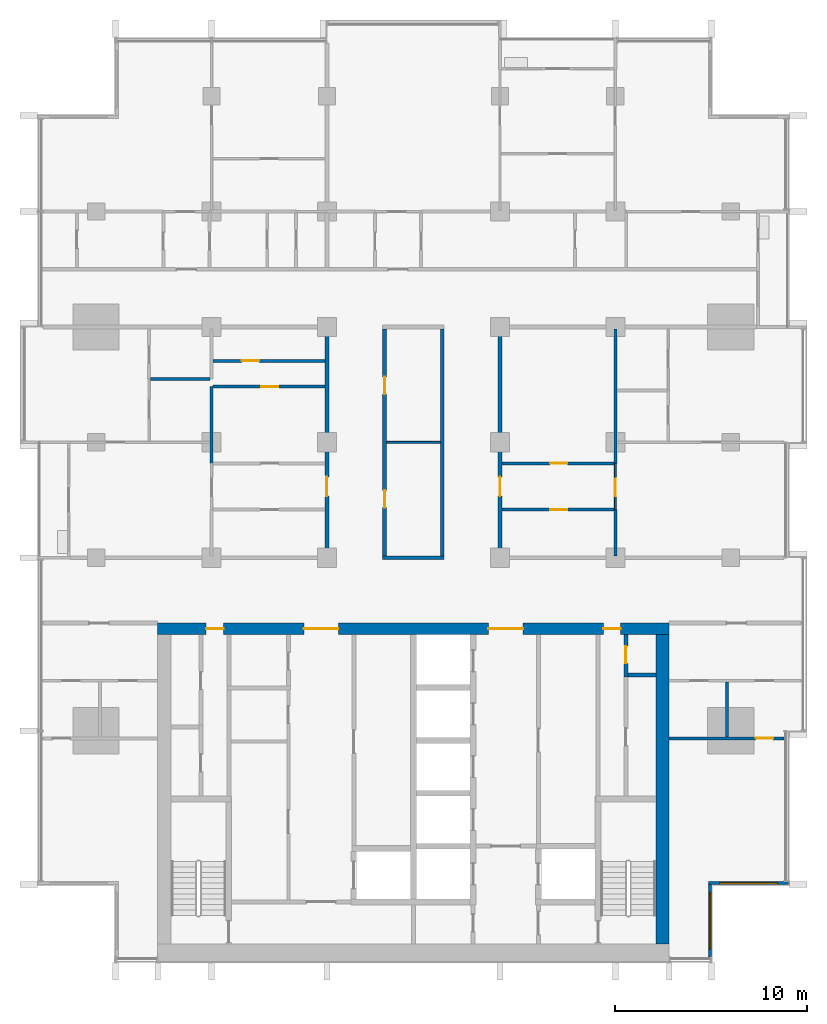
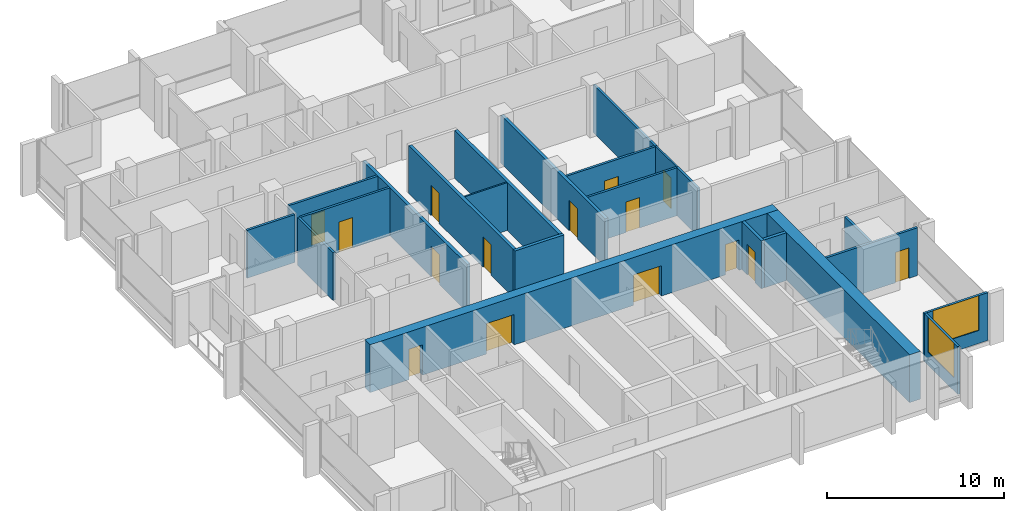
# One storey, part 9 of 17: 23 walls, 15 doors, 2 windows, 17 openings.
"""IFC4 building model written with IfcOpenShell, lengths in metres."""

from ifc_helpers import new_model, si_unit, direction, frame, frame_2d, origin, place, context, subcontext, project, spatial, rectangle, extrude, material, layer, layer_set, type_object, element, fill, save


model = new_model("IFC4")

# Units and contexts
model_context = context("Model", 3, precision=1e-05, world=origin(), true_north=direction((0.0, 1.0)))
body_context = subcontext(model_context, "Body", "Model", "MODEL_VIEW")
ifc_project = project(units=[si_unit("LENGTHUNIT", "METRE"), si_unit("AREAUNIT", "SQUARE_METRE"), si_unit("VOLUMEUNIT", "CUBIC_METRE"), si_unit("PLANEANGLEUNIT", "RADIAN"), si_unit("MASSUNIT", "GRAM", prefix="KILO")], contexts=[model_context])

# Site, building, storey
site_placement = place(None, origin())
site = spatial("IfcSite", under=ifc_project, at=site_placement, CompositionType="ELEMENT")
building_placement = place(site_placement, origin())
building = spatial("IfcBuilding", under=site, at=building_placement, Name="Finial Court Residences", CompositionType="ELEMENT")
storey_placement = place(building_placement, frame((0.0, 0.0, 192.5)))
storey = spatial("IfcBuildingStorey", under=building, at=storey_placement, Name="L48", CompositionType="ELEMENT", Elevation=192.5)

# Wall, openings, doors
ifc_material_1 = material(Name="Concrete C70/85", Category="concrete")
ifc_layer_1 = layer(ifc_material_1, 0.60009765625)
ifc_layer_set_1 = layer_set([ifc_layer_1], Name="Core outer wall 600 Concrete C70/85")
wall_type_1 = type_object("IfcWallType", Name="Core outer wall 600 Concrete C70/85", PredefinedType="SHEAR", material=ifc_layer_set_1)
wall_1_placement = place(storey_placement, frame((-13.300048828125, -8.199951171875, 0.0), z_axis=(0.0, 0.0, 1.0), x_axis=(1.0, 0.0, 0.0)))
wall_1 = element("IfcWall", 1, at=wall_1_placement, inside=storey, type_object=wall_type_1, Name="Core outer wall L48-02", PredefinedType="SHEAR", context=body_context, shape_type="SweptSolid", body=[
    extrude(rectangle(XDim=26.60009765625, YDim=0.60009765625, at=frame_2d((13.300048828125, 0.0))), origin(), (0.0, 0.0, 1.0), 3.300048828125),
])
opening_1_placement = place(wall_1_placement, frame((7.60009765625, 0.0, 0.0)))
opening_1 = element("IfcOpeningElement", 2, at=opening_1_placement, cuts=wall_1, Name="Opening L48-C04", PredefinedType="OPENING", context=body_context, shape_type="SweptSolid", body=[
    extrude(rectangle(XDim=1.800048828125, YDim=2.10009765625, at=frame_2d((0.89990234375, 1.050048828125))), frame((0.0, 0.31005859375, 0.0), z_axis=(0.0, -1.0, 0.0), x_axis=(1.0, 0.0, 0.0)), (0.0, 0.0, 1.0), 0.6201171875),
])
opening_2_placement = place(wall_1_placement, frame((17.199951171875, 0.0, 0.0)))
opening_2 = element("IfcOpeningElement", 3, at=opening_2_placement, cuts=wall_1, Name="Opening L48-C05", PredefinedType="OPENING", context=body_context, shape_type="SweptSolid", body=[
    extrude(rectangle(XDim=1.800048828125, YDim=2.10009765625, at=frame_2d((0.89990234375, 1.050048828125))), frame((0.0, 0.31005859375, 0.0), z_axis=(0.0, -1.0, 0.0), x_axis=(1.0, 0.0, 0.0)), (0.0, 0.0, 1.0), 0.6201171875),
])
opening_3_placement = place(wall_1_placement, frame((2.52490234375, 0.0, 0.0)))
opening_3 = element("IfcOpeningElement", 4, at=opening_3_placement, cuts=wall_1, Name="Opening L48-C12", PredefinedType="OPENING", context=body_context, shape_type="SweptSolid", body=[
    extrude(rectangle(XDim=0.89990234375, YDim=2.10009765625, at=frame_2d((0.449951171875, 1.050048828125))), frame((0.0, 0.31005859375, 0.0), z_axis=(0.0, -1.0, 0.0), x_axis=(1.0, 0.0, 0.0)), (0.0, 0.0, 1.0), 0.6201171875),
])
opening_4_placement = place(wall_1_placement, frame((23.175048828125, 0.0, 0.0)))
opening_4 = element("IfcOpeningElement", 5, at=opening_4_placement, cuts=wall_1, Name="Opening L48-C13", PredefinedType="OPENING", context=body_context, shape_type="SweptSolid", body=[
    extrude(rectangle(XDim=0.89990234375, YDim=2.10009765625, at=frame_2d((0.449951171875, 1.050048828125))), frame((0.0, 0.31005859375, 0.0), z_axis=(0.0, -1.0, 0.0), x_axis=(1.0, 0.0, 0.0)), (0.0, 0.0, 1.0), 0.6201171875),
])
ifc_material_2 = material(Name="Steel fire door", Category="steel")
door_type_1 = type_object("IfcDoorType", Name="Lift lobby door 1800 x 2100 EI 60", OperationType="DOUBLE_DOOR_SINGLE_SWING", PredefinedType="DOOR", material=ifc_material_2)
door_1_placement = place(opening_1_placement, origin())
door_1 = element("IfcDoor", 6, at=door_1_placement, inside=storey, type_object=door_type_1, Name="Lift lobby door L48-C04", OperationType="DOUBLE_DOOR_SINGLE_SWING", OverallHeight=2.10009765625, OverallWidth=1.800048828125, PredefinedType="DOOR", context=body_context, shape_type="SweptSolid", body=[
    extrude(rectangle(XDim=1.800048828125, YDim=2.10009765625, at=frame_2d((0.89990234375, 1.050048828125))), frame((0.0, 0.02490234375, 0.0), z_axis=(0.0, -1.0, 0.0), x_axis=(1.0, 0.0, 0.0)), (0.0, 0.0, 1.0), 0.050048828125),
])
fill(opening_1, door_1)
door_2_placement = place(opening_2_placement, origin())
door_2 = element("IfcDoor", 7, at=door_2_placement, inside=storey, type_object=door_type_1, Name="Lift lobby door L48-C05", OperationType="DOUBLE_DOOR_SINGLE_SWING", OverallHeight=2.10009765625, OverallWidth=1.800048828125, PredefinedType="DOOR", context=body_context, shape_type="SweptSolid", body=[
    extrude(rectangle(XDim=1.800048828125, YDim=2.10009765625, at=frame_2d((0.89990234375, 1.050048828125))), frame((0.0, 0.02490234375, 0.0), z_axis=(0.0, -1.0, 0.0), x_axis=(1.0, 0.0, 0.0)), (0.0, 0.0, 1.0), 0.050048828125),
])
fill(opening_2, door_2)
door_type_2 = type_object("IfcDoorType", Name="Riser room door 900 x 2100 EI 90", OperationType="NOTDEFINED", PredefinedType="DOOR", material=ifc_material_2)
door_3_placement = place(opening_3_placement, origin())
door_3 = element("IfcDoor", 8, at=door_3_placement, inside=storey, type_object=door_type_2, Name="Riser room door L48-C12", OperationType="SINGLE_SWING_RIGHT", OverallHeight=2.10009765625, OverallWidth=0.89990234375, PredefinedType="DOOR", context=body_context, shape_type="SweptSolid", body=[
    extrude(rectangle(XDim=0.89990234375, YDim=2.10009765625, at=frame_2d((0.449951171875, 1.050048828125))), frame((0.0, 0.02490234375, 0.0), z_axis=(0.0, -1.0, 0.0), x_axis=(1.0, 0.0, 0.0)), (0.0, 0.0, 1.0), 0.050048828125),
])
fill(opening_3, door_3)
door_4_placement = place(opening_4_placement, origin())
door_4 = element("IfcDoor", 9, at=door_4_placement, inside=storey, type_object=door_type_2, Name="Riser room door L48-C13", OperationType="SINGLE_SWING_LEFT", OverallHeight=2.10009765625, OverallWidth=0.89990234375, PredefinedType="DOOR", context=body_context, shape_type="SweptSolid", body=[
    extrude(rectangle(XDim=0.89990234375, YDim=2.10009765625, at=frame_2d((0.449951171875, 1.050048828125))), frame((0.0, 0.02490234375, 0.0), z_axis=(0.0, -1.0, 0.0), x_axis=(1.0, 0.0, 0.0)), (0.0, 0.0, 1.0), 0.050048828125),
])
fill(opening_4, door_4)

# Walls
ifc_layer_2 = layer(ifc_material_1, 0.699951171875)
ifc_layer_set_2 = layer_set([ifc_layer_2], Name="Core outer wall 700 Concrete C70/85")
wall_type_2 = type_object("IfcWallType", Name="Core outer wall 700 Concrete C70/85", PredefinedType="SHEAR", material=ifc_layer_set_2)
wall_2_placement = place(storey_placement, frame((12.949951171875, -24.60009765625, 0.0), z_axis=(0.0, 0.0, 1.0), x_axis=(0.0, 1.0, 0.0)))
element("IfcWall", 10, at=wall_2_placement, inside=storey, type_object=wall_type_2, Name="Core outer wall L48-04", PredefinedType="SHEAR", context=body_context, shape_type="SweptSolid", body=[
    extrude(rectangle(XDim=16.10009765625, YDim=0.699951171875, at=frame_2d((8.050048828125, 0.0))), origin(), (0.0, 0.0, 1.0), 3.300048828125),
])
ifc_material_3 = material(Name="Gypsum board")
ifc_layer_3 = layer(ifc_material_3, 0.02490234375)
ifc_material_4 = material(Name="Acoustic mineral wool in double frame")
ifc_layer_4 = layer(ifc_material_4, 0.14990234375)
ifc_layer_5 = layer(ifc_material_3, 0.02490234375)
ifc_layer_set_3 = layer_set([ifc_layer_3, ifc_layer_4, ifc_layer_5], Name="Corridor wall 200, 1 hour")
wall_type_3 = type_object("IfcWallType", Name="Corridor wall 200, 1 hour", PredefinedType="PARTITIONING", material=ifc_layer_set_3)
wall_3_placement = place(storey_placement, frame((-1.60009765625, -4.5, 0.0), z_axis=(0.0, 0.0, 1.0), x_axis=(1.0, 0.0, 0.0)))
element("IfcWall", 11, at=wall_3_placement, inside=storey, type_object=wall_type_3, Name="Partition L48-007", PredefinedType="PARTITIONING", context=body_context, shape_type="SweptSolid", body=[
    extrude(rectangle(XDim=3.2001953125, YDim=0.199951171875, at=frame_2d((1.60009765625, 0.0))), origin(), (0.0, 0.0, 1.0), 3.300048828125),
])

# Wall, opening, door
wall_4_placement = place(storey_placement, frame((-4.5, -4.39990234375, 0.0), z_axis=(0.0, 0.0, 1.0), x_axis=(0.0, 1.0, 0.0)))
wall_4 = element("IfcWall", 12, at=wall_4_placement, inside=storey, type_object=wall_type_3, Name="Partition L48-048", PredefinedType="PARTITIONING", context=body_context, shape_type="SweptSolid", body=[
    extrude(rectangle(XDim=11.7998046875, YDim=0.199951171875, at=frame_2d((5.89990234375, 0.0))), origin(), (0.0, 0.0, 1.0), 3.300048828125),
])
opening_5_placement = place(wall_4_placement, frame((3.10009765625, 0.0, 0.0)))
opening_5 = element("IfcOpeningElement", 13, at=opening_5_placement, cuts=wall_4, Name="Opening L48-D033", PredefinedType="OPENING", context=body_context, shape_type="SweptSolid", body=[
    extrude(rectangle(XDim=1.0, YDim=2.10009765625, at=frame_2d((0.5, 1.050048828125))), frame((0.0, 0.10986328125, 0.0), z_axis=(0.0, -1.0, 0.0), x_axis=(1.0, 0.0, 0.0)), (0.0, 0.0, 1.0), 0.219970703125),
])
ifc_material_5 = material(Name="Timber door leaf in hollow metal frame", Category="wood")
door_type_3 = type_object("IfcDoorType", Name="Fire door set 1000 x 2100, 30 minutes", OperationType="SINGLE_SWING_LEFT", PredefinedType="DOOR", material=ifc_material_5)
door_5_placement = place(opening_5_placement, origin())
door_5 = element("IfcDoor", 14, at=door_5_placement, inside=storey, type_object=door_type_3, Name="Door L48-D033", OperationType="SINGLE_SWING_RIGHT", OverallHeight=2.10009765625, OverallWidth=1.0, PredefinedType="DOOR", context=body_context, shape_type="SweptSolid", body=[
    extrude(rectangle(XDim=1.0, YDim=2.10009765625, at=frame_2d((0.5, 1.050048828125))), frame((0.0, 0.02490234375, 0.0), z_axis=(0.0, -1.0, 0.0), x_axis=(1.0, 0.0, 0.0)), (0.0, 0.0, 1.0), 0.050048828125),
])
fill(opening_5, door_5)

# Wall, openings, doors
wall_5_placement = place(storey_placement, frame((-1.5, -4.39990234375, 0.0), z_axis=(0.0, 0.0, 1.0), x_axis=(0.0, 1.0, 0.0)))
wall_5 = element("IfcWall", 15, at=wall_5_placement, inside=storey, type_object=wall_type_3, Name="Partition L48-052", PredefinedType="PARTITIONING", context=body_context, shape_type="SweptSolid", body=[
    extrude(rectangle(XDim=11.7998046875, YDim=0.199951171875, at=frame_2d((5.89990234375, 0.0))), origin(), (0.0, 0.0, 1.0), 3.300048828125),
])
opening_6_placement = place(wall_5_placement, frame((2.5, 0.0, 0.0)))
opening_6 = element("IfcOpeningElement", 16, at=opening_6_placement, cuts=wall_5, Name="Opening L48-D035", PredefinedType="OPENING", context=body_context, shape_type="SweptSolid", body=[
    extrude(rectangle(XDim=0.89990234375, YDim=2.10009765625, at=frame_2d((0.449951171875, 1.050048828125))), frame((0.0, 0.10986328125, 0.0), z_axis=(0.0, -1.0, 0.0), x_axis=(1.0, 0.0, 0.0)), (0.0, 0.0, 1.0), 0.219970703125),
])
opening_7_placement = place(wall_5_placement, frame((8.39990234375, 0.0, 0.0)))
opening_7 = element("IfcOpeningElement", 17, at=opening_7_placement, cuts=wall_5, Name="Opening L48-D036", PredefinedType="OPENING", context=body_context, shape_type="SweptSolid", body=[
    extrude(rectangle(XDim=0.89990234375, YDim=2.10009765625, at=frame_2d((0.449951171875, 1.050048828125))), frame((0.0, 0.10986328125, 0.0), z_axis=(0.0, -1.0, 0.0), x_axis=(1.0, 0.0, 0.0)), (0.0, 0.0, 1.0), 0.219970703125),
])
door_type_4 = type_object("IfcDoorType", Name="Fire door set 900 x 2100, 30 minutes", OperationType="SINGLE_SWING_LEFT", PredefinedType="DOOR", material=ifc_material_5)
door_6_placement = place(opening_6_placement, origin())
door_6 = element("IfcDoor", 18, at=door_6_placement, inside=storey, type_object=door_type_4, Name="Door L48-D035", OperationType="SINGLE_SWING_LEFT", OverallHeight=2.10009765625, OverallWidth=0.89990234375, PredefinedType="DOOR", context=body_context, shape_type="SweptSolid", body=[
    extrude(rectangle(XDim=0.89990234375, YDim=2.10009765625, at=frame_2d((0.449951171875, 1.050048828125))), frame((0.0, 0.02490234375, 0.0), z_axis=(0.0, -1.0, 0.0), x_axis=(1.0, 0.0, 0.0)), (0.0, 0.0, 1.0), 0.050048828125),
])
fill(opening_6, door_6)
door_7_placement = place(opening_7_placement, origin())
door_7 = element("IfcDoor", 19, at=door_7_placement, inside=storey, type_object=door_type_4, Name="Door L48-D036", OperationType="SINGLE_SWING_RIGHT", OverallHeight=2.10009765625, OverallWidth=0.89990234375, PredefinedType="DOOR", context=body_context, shape_type="SweptSolid", body=[
    extrude(rectangle(XDim=0.89990234375, YDim=2.10009765625, at=frame_2d((0.449951171875, 1.050048828125))), frame((0.0, 0.02490234375, 0.0), z_axis=(0.0, -1.0, 0.0), x_axis=(1.0, 0.0, 0.0)), (0.0, 0.0, 1.0), 0.050048828125),
])
fill(opening_7, door_7)

# Wall
wall_6_placement = place(storey_placement, frame((1.5, -4.39990234375, 0.0), z_axis=(0.0, 0.0, 1.0), x_axis=(0.0, 1.0, 0.0)))
element("IfcWall", 20, at=wall_6_placement, inside=storey, type_object=wall_type_3, Name="Partition L48-054", PredefinedType="PARTITIONING", context=body_context, shape_type="SweptSolid", body=[
    extrude(rectangle(XDim=11.7998046875, YDim=0.199951171875, at=frame_2d((5.89990234375, 0.0))), origin(), (0.0, 0.0, 1.0), 3.300048828125),
])

# Wall, opening, door
wall_7_placement = place(storey_placement, frame((4.5, -4.39990234375, 0.0), z_axis=(0.0, 0.0, 1.0), x_axis=(0.0, 1.0, 0.0)))
wall_7 = element("IfcWall", 21, at=wall_7_placement, inside=storey, type_object=wall_type_3, Name="Partition L48-055", PredefinedType="PARTITIONING", context=body_context, shape_type="SweptSolid", body=[
    extrude(rectangle(XDim=11.7998046875, YDim=0.199951171875, at=frame_2d((5.89990234375, 0.0))), origin(), (0.0, 0.0, 1.0), 3.300048828125),
])
opening_8_placement = place(wall_7_placement, frame((3.10009765625, 0.0, 0.0)))
opening_8 = element("IfcOpeningElement", 22, at=opening_8_placement, cuts=wall_7, Name="Opening L48-D038", PredefinedType="OPENING", context=body_context, shape_type="SweptSolid", body=[
    extrude(rectangle(XDim=1.0, YDim=2.10009765625, at=frame_2d((0.5, 1.050048828125))), frame((0.0, 0.10986328125, 0.0), z_axis=(0.0, -1.0, 0.0), x_axis=(1.0, 0.0, 0.0)), (0.0, 0.0, 1.0), 0.219970703125),
])
door_8_placement = place(opening_8_placement, origin())
door_8 = element("IfcDoor", 23, at=door_8_placement, inside=storey, type_object=door_type_3, Name="Door L48-D038", OperationType="SINGLE_SWING_LEFT", OverallHeight=2.10009765625, OverallWidth=1.0, PredefinedType="DOOR", context=body_context, shape_type="SweptSolid", body=[
    extrude(rectangle(XDim=1.0, YDim=2.10009765625, at=frame_2d((0.5, 1.050048828125))), frame((0.0, 0.02490234375, 0.0), z_axis=(0.0, -1.0, 0.0), x_axis=(1.0, 0.0, 0.0)), (0.0, 0.0, 1.0), 0.050048828125),
])
fill(opening_8, door_8)

# Wall
ifc_layer_6 = layer(ifc_material_3, 0.012451171875)
ifc_material_6 = material(Name="Mineral wool in light-gauge frame")
ifc_layer_7 = layer(ifc_material_6, 0.074951171875)
ifc_layer_8 = layer(ifc_material_3, 0.012451171875)
ifc_layer_set_4 = layer_set([ifc_layer_6, ifc_layer_7, ifc_layer_8], Name="Gypsum board partition 100")
wall_type_4 = type_object("IfcWallType", Name="Gypsum board partition 100", PredefinedType="PARTITIONING", material=ifc_layer_set_4)
wall_8_placement = place(storey_placement, frame((-1.39990234375, 1.5, 0.0), z_axis=(0.0, 0.0, 1.0), x_axis=(1.0, 0.0, 0.0)))
element("IfcWall", 24, at=wall_8_placement, inside=storey, type_object=wall_type_4, Name="Partition L48-014", PredefinedType="PARTITIONING", context=body_context, shape_type="SweptSolid", body=[
    extrude(rectangle(XDim=2.7998046875, YDim=0.10009765625, at=frame_2d((1.39990234375, 0.0))), origin(), (0.0, 0.0, 1.0), 3.300048828125),
])

# Wall, opening, door
wall_9_placement = place(storey_placement, frame((10.5, -2.0, 0.0), z_axis=(0.0, 0.0, 1.0), x_axis=(0.0, 1.0, 0.0)))
wall_9 = element("IfcWall", 25, at=wall_9_placement, inside=storey, type_object=wall_type_4, Name="Partition L48-058", PredefinedType="PARTITIONING", context=body_context, shape_type="SweptSolid", body=[
    extrude(rectangle(XDim=2.39990234375, YDim=0.10009765625, at=frame_2d((1.199951171875, 0.0))), origin(), (0.0, 0.0, 1.0), 3.300048828125),
])
opening_9_placement = place(wall_9_placement, frame((0.699951171875, 0.0, 0.0)))
opening_9 = element("IfcOpeningElement", 26, at=opening_9_placement, cuts=wall_9, Name="Opening L48-D041", PredefinedType="OPENING", context=body_context, shape_type="SweptSolid", body=[
    extrude(rectangle(XDim=0.89990234375, YDim=2.10009765625, at=frame_2d((0.449951171875, 1.050048828125))), frame((0.0, 0.06005859375, 0.0), z_axis=(0.0, -1.0, 0.0), x_axis=(1.0, 0.0, 0.0)), (0.0, 0.0, 1.0), 0.1201171875),
])
ifc_material_7 = material(Name="Timber door leaf in timber frame", Category="wood")
door_type_5 = type_object("IfcDoorType", Name="Door set 900 x 2100", OperationType="SINGLE_SWING_LEFT", PredefinedType="DOOR", material=ifc_material_7)
door_9_placement = place(opening_9_placement, origin())
door_9 = element("IfcDoor", 27, at=door_9_placement, inside=storey, type_object=door_type_5, Name="Door L48-D041", OperationType="SINGLE_SWING_LEFT", OverallHeight=2.10009765625, OverallWidth=0.89990234375, PredefinedType="DOOR", context=body_context, shape_type="SweptSolid", body=[
    extrude(rectangle(XDim=0.89990234375, YDim=2.10009765625, at=frame_2d((0.449951171875, 1.050048828125))), frame((0.0, 0.02490234375, 0.0), z_axis=(0.0, -1.0, 0.0), x_axis=(1.0, 0.0, 0.0)), (0.0, 0.0, 1.0), 0.050048828125),
])
fill(opening_9, door_9)

ifc_material_8 = material(Name="Moisture-resistant gypsum board")
ifc_layer_9 = layer(ifc_material_8, 0.012451171875)
ifc_layer_10 = layer(ifc_material_6, 0.125)
ifc_layer_11 = layer(ifc_material_8, 0.012451171875)
ifc_layer_set_5 = layer_set([ifc_layer_9, ifc_layer_10, ifc_layer_11], Name="Gypsum board wet-area partition 150")
wall_type_5 = type_object("IfcWallType", Name="Gypsum board wet-area partition 150", PredefinedType="PARTITIONING", material=ifc_layer_set_5)
wall_10_placement = place(storey_placement, frame((13.300048828125, -13.89990234375, 0.0), z_axis=(0.0, 0.0, 1.0), x_axis=(1.0, 0.0, 0.0)))
wall_10 = element("IfcWall", 28, at=wall_10_placement, inside=storey, type_object=wall_type_5, Name="Partition L48-001", PredefinedType="PARTITIONING", context=body_context, shape_type="SweptSolid", body=[
    extrude(rectangle(XDim=5.96240234375, YDim=0.14990234375, at=frame_2d((2.981201171875, 0.0))), origin(), (0.0, 0.0, 1.0), 3.300048828125),
])
opening_10_placement = place(wall_10_placement, frame((4.5, 0.0, 0.0)))
opening_10 = element("IfcOpeningElement", 29, at=opening_10_placement, cuts=wall_10, Name="Opening L48-D002", PredefinedType="OPENING", context=body_context, shape_type="SweptSolid", body=[
    extrude(rectangle(XDim=0.89990234375, YDim=2.10009765625, at=frame_2d((0.449951171875, 1.050048828125))), frame((0.0, 0.0849609375, 0.0), z_axis=(0.0, -1.0, 0.0), x_axis=(1.0, 0.0, 0.0)), (0.0, 0.0, 1.0), 0.169921875),
])
door_10_placement = place(opening_10_placement, origin())
door_10 = element("IfcDoor", 30, at=door_10_placement, inside=storey, type_object=door_type_5, Name="Door L48-D002", OperationType="SINGLE_SWING_RIGHT", OverallHeight=2.10009765625, OverallWidth=0.89990234375, PredefinedType="DOOR", context=body_context, shape_type="SweptSolid", body=[
    extrude(rectangle(XDim=0.89990234375, YDim=2.10009765625, at=frame_2d((0.449951171875, 1.050048828125))), frame((0.0, 0.02490234375, 0.0), z_axis=(0.0, -1.0, 0.0), x_axis=(1.0, 0.0, 0.0)), (0.0, 0.0, 1.0), 0.050048828125),
])
fill(opening_10, door_10)

wall_11_placement = place(storey_placement, frame((4.60009765625, -2.0, 0.0), z_axis=(0.0, 0.0, 1.0), x_axis=(1.0, 0.0, 0.0)))
wall_11 = element("IfcWall", 31, at=wall_11_placement, inside=storey, type_object=wall_type_5, Name="Partition L48-010", PredefinedType="PARTITIONING", context=body_context, shape_type="SweptSolid", body=[
    extrude(rectangle(XDim=5.824951171875, YDim=0.14990234375, at=frame_2d((2.91259765625, 0.0))), origin(), (0.0, 0.0, 1.0), 3.300048828125),
])
opening_11_placement = place(wall_11_placement, frame((2.5, 0.0, 0.0)))
opening_11 = element("IfcOpeningElement", 32, at=opening_11_placement, cuts=wall_11, Name="Opening L48-D010", PredefinedType="OPENING", context=body_context, shape_type="SweptSolid", body=[
    extrude(rectangle(XDim=0.89990234375, YDim=2.10009765625, at=frame_2d((0.449951171875, 1.050048828125))), frame((0.0, 0.0849609375, 0.0), z_axis=(0.0, -1.0, 0.0), x_axis=(1.0, 0.0, 0.0)), (0.0, 0.0, 1.0), 0.169921875),
])
door_11_placement = place(opening_11_placement, origin())
door_11 = element("IfcDoor", 33, at=door_11_placement, inside=storey, type_object=door_type_5, Name="Door L48-D010", OperationType="SINGLE_SWING_LEFT", OverallHeight=2.10009765625, OverallWidth=0.89990234375, PredefinedType="DOOR", context=body_context, shape_type="SweptSolid", body=[
    extrude(rectangle(XDim=0.89990234375, YDim=2.10009765625, at=frame_2d((0.449951171875, 1.050048828125))), frame((0.0, 0.02490234375, 0.0), z_axis=(0.0, -1.0, 0.0), x_axis=(1.0, 0.0, 0.0)), (0.0, 0.0, 1.0), 0.050048828125),
])
fill(opening_11, door_11)

wall_12_placement = place(storey_placement, frame((4.60009765625, 0.39990234375, 0.0), z_axis=(0.0, 0.0, 1.0), x_axis=(1.0, 0.0, 0.0)))
wall_12 = element("IfcWall", 34, at=wall_12_placement, inside=storey, type_object=wall_type_5, Name="Partition L48-012", PredefinedType="PARTITIONING", context=body_context, shape_type="SweptSolid", body=[
    extrude(rectangle(XDim=5.824951171875, YDim=0.14990234375, at=frame_2d((2.91259765625, 0.0))), origin(), (0.0, 0.0, 1.0), 3.300048828125),
])
opening_12_placement = place(wall_12_placement, frame((2.5, 0.0, 0.0)))
opening_12 = element("IfcOpeningElement", 35, at=opening_12_placement, cuts=wall_12, Name="Opening L48-D012", PredefinedType="OPENING", context=body_context, shape_type="SweptSolid", body=[
    extrude(rectangle(XDim=0.89990234375, YDim=2.10009765625, at=frame_2d((0.449951171875, 1.050048828125))), frame((0.0, 0.0849609375, 0.0), z_axis=(0.0, -1.0, 0.0), x_axis=(1.0, 0.0, 0.0)), (0.0, 0.0, 1.0), 0.169921875),
])
door_12_placement = place(opening_12_placement, origin())
door_12 = element("IfcDoor", 36, at=door_12_placement, inside=storey, type_object=door_type_5, Name="Door L48-D012", OperationType="SINGLE_SWING_RIGHT", OverallHeight=2.10009765625, OverallWidth=0.89990234375, PredefinedType="DOOR", context=body_context, shape_type="SweptSolid", body=[
    extrude(rectangle(XDim=0.89990234375, YDim=2.10009765625, at=frame_2d((0.449951171875, 1.050048828125))), frame((0.0, 0.02490234375, 0.0), z_axis=(0.0, -1.0, 0.0), x_axis=(1.0, 0.0, 0.0)), (0.0, 0.0, 1.0), 0.050048828125),
])
fill(opening_12, door_12)

wall_13_placement = place(storey_placement, frame((-10.425048828125, 4.39990234375, 0.0), z_axis=(0.0, 0.0, 1.0), x_axis=(1.0, 0.0, 0.0)))
wall_13 = element("IfcWall", 37, at=wall_13_placement, inside=storey, type_object=wall_type_5, Name="Partition L48-018", PredefinedType="PARTITIONING", context=body_context, shape_type="SweptSolid", body=[
    extrude(rectangle(XDim=5.824951171875, YDim=0.14990234375, at=frame_2d((2.91259765625, 0.0))), origin(), (0.0, 0.0, 1.0), 3.300048828125),
])
opening_13_placement = place(wall_13_placement, frame((2.5, 0.0, 0.0)))
opening_13 = element("IfcOpeningElement", 38, at=opening_13_placement, cuts=wall_13, Name="Opening L48-D015", PredefinedType="OPENING", context=body_context, shape_type="SweptSolid", body=[
    extrude(rectangle(XDim=0.89990234375, YDim=2.10009765625, at=frame_2d((0.449951171875, 1.050048828125))), frame((0.0, 0.0849609375, 0.0), z_axis=(0.0, -1.0, 0.0), x_axis=(1.0, 0.0, 0.0)), (0.0, 0.0, 1.0), 0.169921875),
])
door_13_placement = place(opening_13_placement, origin())
door_13 = element("IfcDoor", 39, at=door_13_placement, inside=storey, type_object=door_type_5, Name="Door L48-D015", OperationType="SINGLE_SWING_LEFT", OverallHeight=2.10009765625, OverallWidth=0.89990234375, PredefinedType="DOOR", context=body_context, shape_type="SweptSolid", body=[
    extrude(rectangle(XDim=0.89990234375, YDim=2.10009765625, at=frame_2d((0.449951171875, 1.050048828125))), frame((0.0, 0.02490234375, 0.0), z_axis=(0.0, -1.0, 0.0), x_axis=(1.0, 0.0, 0.0)), (0.0, 0.0, 1.0), 0.050048828125),
])
fill(opening_13, door_13)

# Wall
wall_14_placement = place(storey_placement, frame((-13.675048828125, 4.800048828125, 0.0), z_axis=(0.0, 0.0, 1.0), x_axis=(1.0, 0.0, 0.0)))
element("IfcWall", 40, at=wall_14_placement, inside=storey, type_object=wall_type_5, Name="Partition L48-019", PredefinedType="PARTITIONING", context=body_context, shape_type="SweptSolid", body=[
    extrude(rectangle(XDim=3.10009765625, YDim=0.14990234375, at=frame_2d((1.550048828125, 0.0))), origin(), (0.0, 0.0, 1.0), 3.300048828125),
])

# Wall, opening, door
wall_15_placement = place(storey_placement, frame((-10.425048828125, 5.73291015625, 0.0), z_axis=(0.0, 0.0, 1.0), x_axis=(1.0, 0.0, 0.0)))
wall_15 = element("IfcWall", 41, at=wall_15_placement, inside=storey, type_object=wall_type_5, Name="Partition L48-020", PredefinedType="PARTITIONING", context=body_context, shape_type="SweptSolid", body=[
    extrude(rectangle(XDim=5.824951171875, YDim=0.14990234375, at=frame_2d((2.91259765625, 0.0))), origin(), (0.0, 0.0, 1.0), 3.300048828125),
])
opening_14_placement = place(wall_15_placement, frame((1.5, 0.0, 0.0)))
opening_14 = element("IfcOpeningElement", 42, at=opening_14_placement, cuts=wall_15, Name="Opening L48-D016", PredefinedType="OPENING", context=body_context, shape_type="SweptSolid", body=[
    extrude(rectangle(XDim=0.89990234375, YDim=2.10009765625, at=frame_2d((0.449951171875, 1.050048828125))), frame((0.0, 0.0849609375, 0.0), z_axis=(0.0, -1.0, 0.0), x_axis=(1.0, 0.0, 0.0)), (0.0, 0.0, 1.0), 0.169921875),
])
door_14_placement = place(opening_14_placement, origin())
door_14 = element("IfcDoor", 43, at=door_14_placement, inside=storey, type_object=door_type_5, Name="Door L48-D016", OperationType="SINGLE_SWING_RIGHT", OverallHeight=2.10009765625, OverallWidth=0.89990234375, PredefinedType="DOOR", context=body_context, shape_type="SweptSolid", body=[
    extrude(rectangle(XDim=0.89990234375, YDim=2.10009765625, at=frame_2d((0.449951171875, 1.050048828125))), frame((0.0, 0.02490234375, 0.0), z_axis=(0.0, -1.0, 0.0), x_axis=(1.0, 0.0, 0.0)), (0.0, 0.0, 1.0), 0.050048828125),
])
fill(opening_14, door_14)

# Walls
wall_16_placement = place(storey_placement, frame((-10.5, 0.39990234375, 0.0), z_axis=(0.0, 0.0, 1.0), x_axis=(0.0, 1.0, 0.0)))
element("IfcWall", 44, at=wall_16_placement, inside=storey, type_object=wall_type_5, Name="Partition L48-044", PredefinedType="PARTITIONING", context=body_context, shape_type="SweptSolid", body=[
    extrude(rectangle(XDim=4.0, YDim=0.14990234375, at=frame_2d((2.0, 0.0))), origin(), (0.0, 0.0, 1.0), 3.300048828125),
])
wall_17_placement = place(storey_placement, frame((10.5, -4.39990234375, 0.0), z_axis=(0.0, 0.0, 1.0), x_axis=(0.0, 1.0, 0.0)))
element("IfcWall", 45, at=wall_17_placement, inside=storey, type_object=wall_type_5, Name="Partition L48-060", PredefinedType="PARTITIONING", context=body_context, shape_type="SweptSolid", body=[
    extrude(rectangle(XDim=2.39990234375, YDim=0.14990234375, at=frame_2d((1.199951171875, 0.0))), origin(), (0.0, 0.0, 1.0), 3.300048828125),
])
wall_18_placement = place(storey_placement, frame((10.5, 0.39990234375, 0.0), z_axis=(0.0, 0.0, 1.0), x_axis=(0.0, 1.0, 0.0)))
element("IfcWall", 46, at=wall_18_placement, inside=storey, type_object=wall_type_5, Name="Partition L48-061", PredefinedType="PARTITIONING", context=body_context, shape_type="SweptSolid", body=[
    extrude(rectangle(XDim=7.0, YDim=0.14990234375, at=frame_2d((3.5, 0.0))), origin(), (0.0, 0.0, 1.0), 3.300048828125),
])
wall_19_placement = place(storey_placement, frame((16.300048828125, -13.824951171875, 0.0), z_axis=(0.0, 0.0, 1.0), x_axis=(0.0, 1.0, 0.0)))
element("IfcWall", 47, at=wall_19_placement, inside=storey, type_object=wall_type_5, Name="Partition L48-065", PredefinedType="PARTITIONING", context=body_context, shape_type="SweptSolid", body=[
    extrude(rectangle(XDim=2.849853515625, YDim=0.14990234375, at=frame_2d((1.4248046875, 0.0))), origin(), (0.0, 0.0, 1.0), 3.300048828125),
])

# Wall, opening, window
ifc_material_9 = material(Name="Natural limestone", Category="masonry")
ifc_layer_12 = layer(ifc_material_9, 0.14990234375)
ifc_layer_set_6 = layer_set([ifc_layer_12], Name="Limestone clad wall 150")
wall_type_6 = type_object("IfcWallType", Name="Limestone clad wall 150", PredefinedType="SOLIDWALL", material=ifc_layer_set_6)
wall_20_placement = place(storey_placement, frame((15.425048828125, -21.5, 0.0), z_axis=(0.0, 0.0, 1.0), x_axis=(0.0, -1.0, 0.0)))
wall_20 = element("IfcWall", 48, at=wall_20_placement, inside=storey, type_object=wall_type_6, Name="E-L48-NWE16", PredefinedType="SOLIDWALL", context=body_context, shape_type="SweptSolid", body=[
    extrude(rectangle(XDim=3.762451171875, YDim=0.14990234375, at=frame_2d((1.88134765625, 0.0))), origin(), (0.0, 0.0, 1.0), 3.300048828125),
])
opening_15_placement = place(wall_20_placement, frame((0.4013671875, 0.0, 0.89990234375)))
opening_15 = element("IfcOpeningElement", 49, at=opening_15_placement, cuts=wall_20, Name="Opening WE48-03", PredefinedType="OPENING", context=body_context, shape_type="SweptSolid", body=[
    extrude(rectangle(XDim=2.9599609375, YDim=2.39990234375, at=frame_2d((1.47998046875, 1.199951171875))), frame((0.0, 0.0849609375, 0.0), z_axis=(0.0, -1.0, 0.0), x_axis=(1.0, 0.0, 0.0)), (0.0, 0.0, 1.0), 0.169921875),
])
ifc_material_10 = material(Name="Clear low-e glass", Category="glass")
window_type_1 = type_object("IfcWindowType", Name="Corner window 2960 x 2400", PartitioningType="SINGLE_PANEL", PredefinedType="WINDOW", material=ifc_material_10)
window_1_placement = place(opening_15_placement, origin())
window_1 = element("IfcWindow", 50, at=window_1_placement, inside=storey, type_object=window_type_1, Name="E-L48-NWE16-W1", OverallHeight=2.39990234375, OverallWidth=2.9599609375, PartitioningType="SINGLE_PANEL", PredefinedType="WINDOW", context=body_context, shape_type="SweptSolid", body=[
    extrude(rectangle(XDim=2.9599609375, YDim=2.39990234375, at=frame_2d((1.47998046875, 1.199951171875))), frame((0.0, 0.030029296875, 0.0), z_axis=(0.0, -1.0, 0.0), x_axis=(1.0, 0.0, 0.0)), (0.0, 0.0, 1.0), 0.06005859375),
])
fill(opening_15, window_1)

wall_21_placement = place(storey_placement, frame((19.5, -21.425048828125, 0.0), z_axis=(0.0, 0.0, 1.0), x_axis=(-1.0, 0.0, 0.0)))
wall_21 = element("IfcWall", 51, at=wall_21_placement, inside=storey, type_object=wall_type_6, Name="E-L48-NWS17", PredefinedType="SOLIDWALL", context=body_context, shape_type="SweptSolid", body=[
    extrude(rectangle(XDim=4.14990234375, YDim=0.14990234375, at=frame_2d((2.074951171875, 0.0))), origin(), (0.0, 0.0, 1.0), 3.300048828125),
])
opening_16_placement = place(wall_21_placement, frame((0.574951171875, 0.0, 0.89990234375)))
opening_16 = element("IfcOpeningElement", 52, at=opening_16_placement, cuts=wall_21, Name="Opening WE48-04", PredefinedType="OPENING", context=body_context, shape_type="SweptSolid", body=[
    extrude(rectangle(XDim=3.0, YDim=2.39990234375, at=frame_2d((1.5, 1.199951171875))), frame((0.0, 0.0849609375, 0.0), z_axis=(0.0, -1.0, 0.0), x_axis=(1.0, 0.0, 0.0)), (0.0, 0.0, 1.0), 0.169921875),
])
window_type_2 = type_object("IfcWindowType", Name="Corner window 3000 x 2400", PartitioningType="SINGLE_PANEL", PredefinedType="WINDOW", material=ifc_material_10)
window_2_placement = place(opening_16_placement, origin())
window_2 = element("IfcWindow", 53, at=window_2_placement, inside=storey, type_object=window_type_2, Name="E-L48-NWS17-W1", OverallHeight=2.39990234375, OverallWidth=3.0, PartitioningType="SINGLE_PANEL", PredefinedType="WINDOW", context=body_context, shape_type="SweptSolid", body=[
    extrude(rectangle(XDim=3.0, YDim=2.39990234375, at=frame_2d((1.5, 1.199951171875))), frame((0.0, 0.030029296875, 0.0), z_axis=(0.0, -1.0, 0.0), x_axis=(1.0, 0.0, 0.0)), (0.0, 0.0, 1.0), 0.06005859375),
])
fill(opening_16, window_2)

# Wall
ifc_material_11 = material(Name="Fire-rated gypsum board partition")
ifc_layer_13 = layer(ifc_material_11, 0.199951171875)
ifc_layer_set_7 = layer_set([ifc_layer_13], Name="Riser room wall 200 EI 120")
wall_type_7 = type_object("IfcWallType", Name="Riser room wall 200 EI 120", PredefinedType="PARTITIONING", material=ifc_layer_set_7)
wall_22_placement = place(storey_placement, frame((11.14990234375, -10.60009765625, 0.0), z_axis=(0.0, 0.0, 1.0), x_axis=(1.0, 0.0, 0.0)))
element("IfcWall", 54, at=wall_22_placement, inside=storey, type_object=wall_type_7, Name="Core partition L48-16", PredefinedType="PARTITIONING", context=body_context, shape_type="SweptSolid", body=[
    extrude(rectangle(XDim=1.4501953125, YDim=0.199951171875, at=frame_2d((0.72509765625, 0.0))), origin(), (0.0, 0.0, 1.0), 3.300048828125),
])

# Wall, opening, door
wall_23_placement = place(storey_placement, frame((11.050048828125, -8.5, 0.0), z_axis=(0.0, 0.0, 1.0), x_axis=(0.0, -1.0, 0.0)))
wall_23 = element("IfcWall", 55, at=wall_23_placement, inside=storey, type_object=wall_type_7, Name="Core partition L48-36", PredefinedType="PARTITIONING", context=body_context, shape_type="SweptSolid", body=[
    extrude(rectangle(XDim=2.199951171875, YDim=0.199951171875, at=frame_2d((1.10009765625, 0.0))), origin(), (0.0, 0.0, 1.0), 3.300048828125),
])
opening_17_placement = place(wall_23_placement, frame((0.60009765625, 0.0, 0.0)))
opening_17 = element("IfcOpeningElement", 56, at=opening_17_placement, cuts=wall_23, Name="Opening L48-C08", PredefinedType="OPENING", context=body_context, shape_type="SweptSolid", body=[
    extrude(rectangle(XDim=0.89990234375, YDim=2.10009765625, at=frame_2d((0.449951171875, 1.050048828125))), frame((0.0, 0.10986328125, 0.0), z_axis=(0.0, -1.0, 0.0), x_axis=(1.0, 0.0, 0.0)), (0.0, 0.0, 1.0), 0.219970703125),
])
door_15_placement = place(opening_17_placement, origin())
door_15 = element("IfcDoor", 57, at=door_15_placement, inside=storey, type_object=door_type_2, Name="Riser room door L48-C08", OperationType="SINGLE_SWING_RIGHT", OverallHeight=2.10009765625, OverallWidth=0.89990234375, PredefinedType="DOOR", context=body_context, shape_type="SweptSolid", body=[
    extrude(rectangle(XDim=0.89990234375, YDim=2.10009765625, at=frame_2d((0.449951171875, 1.050048828125))), frame((0.0, 0.02490234375, 0.0), z_axis=(0.0, -1.0, 0.0), x_axis=(1.0, 0.0, 0.0)), (0.0, 0.0, 1.0), 0.050048828125),
])
fill(opening_17, door_15)

save(model, "model.ifc")
